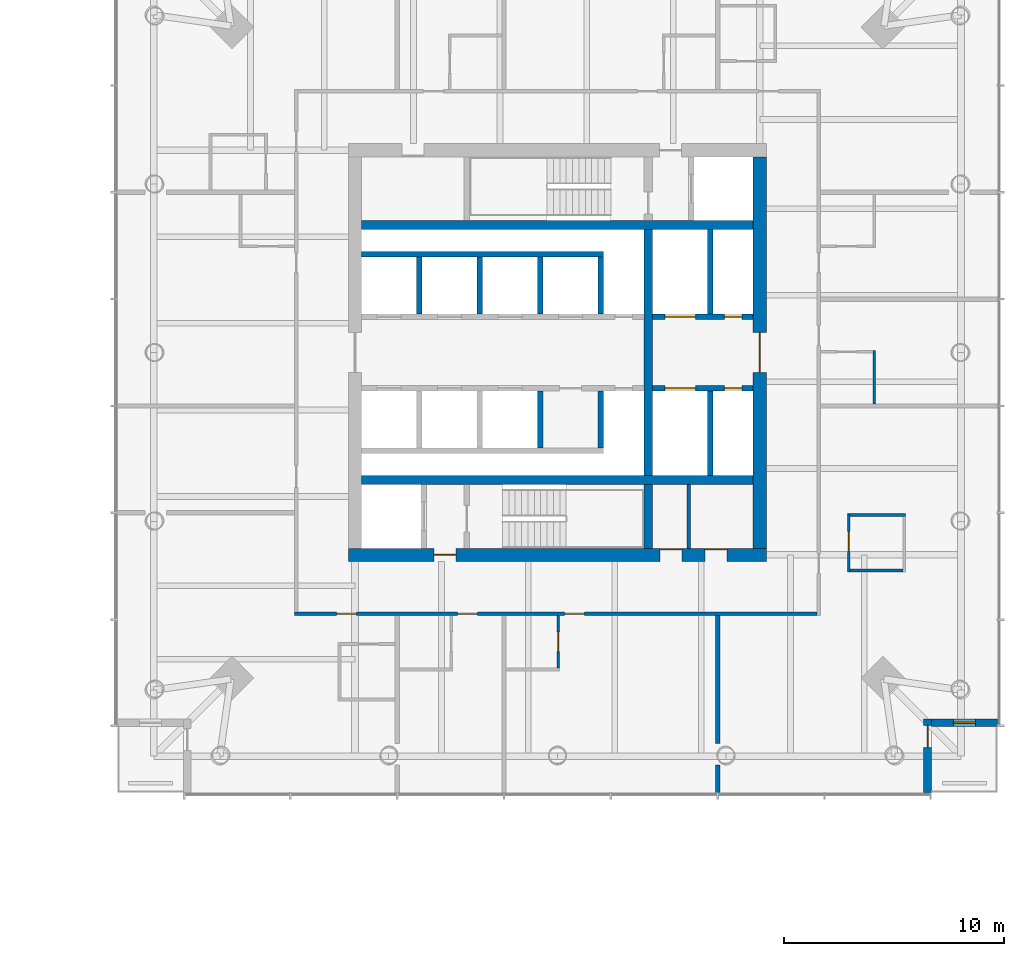
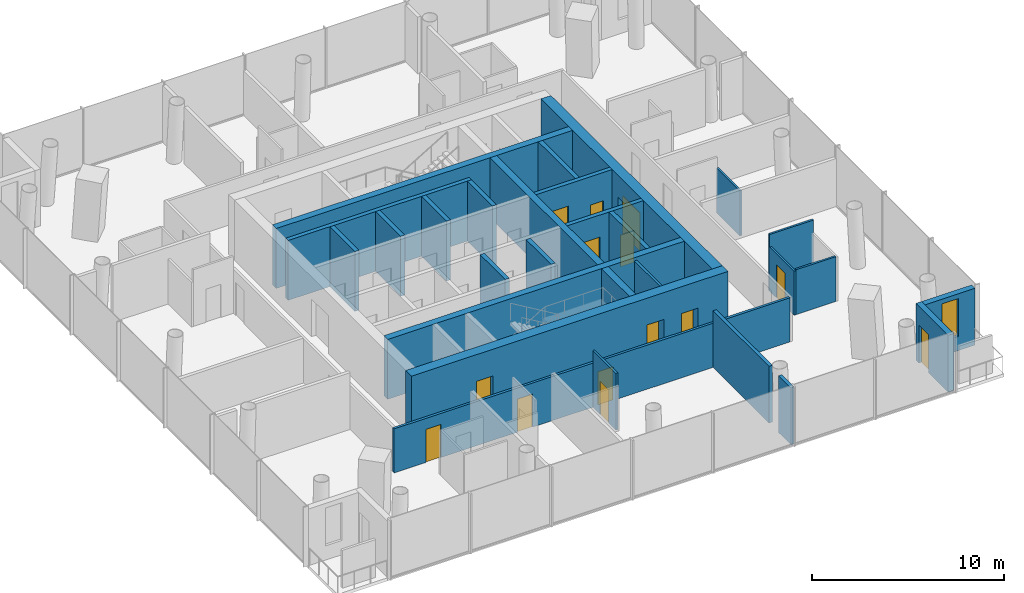
# One storey, part 14 of 26: 28 walls, 14 doors, 1 window, 15 openings.
"""IFC4 building model written with IfcOpenShell, lengths in metres."""

import ifcopenshell
import ifcopenshell.guid

model = None  # the IFC model being written
_history = None  # IfcOwnerHistory: only IFC2X3 demands one
_inside = {}  # id of a spatial element -> (the spatial element, [elements in it])
_under = {}  # id of a project, library or spatial element -> (it, [spatial elements below it])
_declared = {}  # id of a project -> (the project, [libraries it declares])
_typed = {}  # id of a type object -> (the type object, [elements of that type])
_made_of = {}  # id of a material, layer set ... -> (it, [elements and type objects made of it])


def new_model(schema):
    """Start an empty IFC model of exactly this schema.

    Asked for "IFC4X3", IfcOpenShell would pick the latest addendum, in which some entities
    have other attributes; the version numbers below select the first issue.
    IFC2X3 requires an IfcOwnerHistory on every rooted entity: one is made here for all.
    """
    global model, _history
    if schema == "IFC4X3":
        model = ifcopenshell.file(schema_version=(4, 3, 0, 0))
    else:
        model = ifcopenshell.file(schema=schema)
    _inside.clear()
    _under.clear()
    _declared.clear()
    _typed.clear()
    _made_of.clear()
    _history = None
    if model.schema == "IFC2X3":
        org = make("IfcOrganization", Name="unknown")
        user = make(
            "IfcPersonAndOrganization",
            ThePerson=make("IfcPerson", FamilyName="unknown"),
            TheOrganization=org,
        )
        app = make(
            "IfcApplication",
            ApplicationDeveloper=org,
            Version="unknown",
            ApplicationFullName="unknown",
            ApplicationIdentifier="unknown",
        )
        _history = make(
            "IfcOwnerHistory",
            OwningUser=user,
            OwningApplication=app,
            ChangeAction="ADDED",
            CreationDate=0,
        )
    return model


def make(cls, **values):
    """One entity of the class cls with the attributes given. An attribute that is None is left unset."""
    return model.create_entity(
        cls, **{name: value for name, value in values.items() if value is not None}
    )


def rooted(cls, **values):
    """An entity with a GlobalId (a new one), such as an element, a storey or a relation."""
    return make(cls, GlobalId=ifcopenshell.guid.new(), OwnerHistory=_history, **values)


def si_unit(unit_type, name, prefix=None):
    """IfcSIUnit, for example si_unit("LENGTHUNIT", "METRE", prefix="MILLI")."""
    return make("IfcSIUnit", UnitType=unit_type, Prefix=prefix, Name=name)


def assignment(units):
    """IfcUnitAssignment: the units of a project."""
    return None if units is None else make("IfcUnitAssignment", Units=units)


def point(xyz):
    """IfcCartesianPoint."""
    return None if xyz is None else make("IfcCartesianPoint", Coordinates=xyz)


def direction(xyz):
    """IfcDirection."""
    return None if xyz is None else make("IfcDirection", DirectionRatios=xyz)


def frame(location, z_axis=None, x_axis=None):
    """IfcAxis2Placement3D, a coordinate frame: its origin and axes. An axis left out is left unset."""
    return make(
        "IfcAxis2Placement3D",
        Location=point(location),
        Axis=direction(z_axis),
        RefDirection=direction(x_axis),
    )


def frame_2d(location, x_axis=None):
    """IfcAxis2Placement2D, a coordinate frame in the plane: its origin and x axis."""
    return make(
        "IfcAxis2Placement2D", Location=point(location), RefDirection=direction(x_axis)
    )


def origin():
    """The frame at (0, 0, 0) with its axes left unset."""
    return frame((0.0, 0.0, 0.0))


def place(relative_to, where):
    """IfcLocalPlacement: puts the frame where relative to a parent placement (None: the world)."""
    return make(
        "IfcLocalPlacement", PlacementRelTo=relative_to, RelativePlacement=where
    )


def context(
    kind, dimensions, precision=None, world=None, true_north=None, identifier=None
):
    """IfcGeometricRepresentationContext, for example the 3D "Model" context."""
    return make(
        "IfcGeometricRepresentationContext",
        ContextIdentifier=identifier,
        ContextType=kind,
        CoordinateSpaceDimension=dimensions,
        Precision=precision,
        WorldCoordinateSystem=world,
        TrueNorth=true_north,
    )


def subcontext(parent, identifier, kind, view, scale=None):
    """IfcGeometricRepresentationSubContext, for example "Body" below "Model"."""
    return make(
        "IfcGeometricRepresentationSubContext",
        ContextIdentifier=identifier,
        ContextType=kind,
        ParentContext=parent,
        TargetScale=scale,
        TargetView=view,
    )


def project(units=None, contexts=None):
    """IfcProject with its units and contexts."""
    return rooted(
        "IfcProject",
        Name="project",
        RepresentationContexts=contexts,
        UnitsInContext=assignment(units),
    )


def spatial(cls, under=None, at=None, **own):
    """A site, building, storey or space (cls), placed at a placement, below another one or the project."""
    s = rooted(cls, ObjectPlacement=at, **own)
    if under is not None:
        _under.setdefault(under.id(), (under, []))[1].append(s)
    return s


def profile(cls, at=None, kind="AREA", **sizes):
    """A parametric profile (cls). Its sizes go by their IFC names, for example OverallWidth=200.0."""
    return make(cls, ProfileType=kind, Position=at, **sizes)


def rectangle(**sizes):
    """IfcRectangleProfileDef."""
    return profile("IfcRectangleProfileDef", **sizes)


def extrude(swept, where, along, depth):
    """IfcExtrudedAreaSolid: the profile swept, set in the frame where, extruded along a direction by depth."""
    return make(
        "IfcExtrudedAreaSolid",
        SweptArea=swept,
        Position=where,
        ExtrudedDirection=direction(along),
        Depth=depth,
    )


def shape(context_of_items, identifier, shape_type, items):
    """IfcShapeRepresentation: the items that make up one representation, for example the "Body"."""
    return make(
        "IfcShapeRepresentation",
        ContextOfItems=context_of_items,
        RepresentationIdentifier=identifier,
        RepresentationType=shape_type,
        Items=items,
    )


def material(Name=None, Category=None):
    """IfcMaterial."""
    return make("IfcMaterial", Name=Name, Category=Category)


def layer(
    of_material, thickness, ventilated=None, Name=None, Category=None, Priority=None
):
    """IfcMaterialLayer: one layer of a wall or slab, of a material (None: an air gap)."""
    return make(
        "IfcMaterialLayer",
        Material=of_material,
        LayerThickness=thickness,
        IsVentilated=ventilated,
        Name=Name,
        Category=Category,
        Priority=Priority,
    )


def layer_set(layers, Name=None):
    """IfcMaterialLayerSet."""
    return make("IfcMaterialLayerSet", MaterialLayers=layers, LayerSetName=Name)


def made_of(thing, what):
    """Note that an element or type object is made of a material, layer set ...; save() writes the relation."""
    if what is not None:
        _made_of.setdefault(what.id(), (what, []))[1].append(thing)
    return thing


def type_object(cls, material=None, **own):
    """A type object (cls), such as IfcWallType, which elements share."""
    return made_of(rooted(cls, **own), material)


def element(
    cls,
    number,
    at=None,
    inside=None,
    cuts=None,
    type_object=None,
    material=None,
    context=None,
    identifier="Body",
    shape_type=None,
    held_by="IfcProductDefinitionShape",
    body=None,
    shapes=None,
    **own,
):
    """One element of the class cls, such as IfcWall. Its Tag is "e" and its number.

    at: its placement. inside: the storey or other place that contains it. cuts: it is an
    opening in that element (IfcRelVoidsElement). A single representation is given by context,
    identifier, shape_type and body (its items); several are given by shapes. held_by: the class
    of the entity that holds the representations. save() writes the other relations.
    """
    e = rooted(cls, Tag="e%d" % number, ObjectPlacement=at, **own)
    if body is not None:
        shapes = [shape(context, identifier, shape_type, body)]
    if shapes is not None:
        e.Representation = make(held_by, Representations=shapes)
    if inside is not None:
        _inside.setdefault(inside.id(), (inside, []))[1].append(e)
    if cuts is not None:
        rooted(
            "IfcRelVoidsElement", RelatingBuildingElement=cuts, RelatedOpeningElement=e
        )
    if type_object is not None:
        _typed.setdefault(type_object.id(), (type_object, []))[1].append(e)
    return made_of(e, material)


def fill(opening, filler):
    """IfcRelFillsElement: the door or window that sits in an opening."""
    return rooted(
        "IfcRelFillsElement",
        RelatingOpeningElement=opening,
        RelatedBuildingElement=filler,
    )


def aggregate(whole, parts):
    """IfcRelAggregates: a whole, such as a stair, and the parts it consists of."""
    return rooted("IfcRelAggregates", RelatingObject=whole, RelatedObjects=parts)


def save(model, path):
    """Write the relations noted so far, then the file.

    IfcRelAggregates (storeys below a building ...), IfcRelContainedInSpatialStructure (elements
    in a storey), IfcRelDefinesByType, IfcRelAssociatesMaterial and IfcRelDeclares: one each for
    every whole, place, type object, material and project.
    """
    for whole, parts in _under.values():
        aggregate(whole, parts)
    for where, things in _inside.values():
        rooted(
            "IfcRelContainedInSpatialStructure",
            RelatedElements=things,
            RelatingStructure=where,
        )
    for kind, things in _typed.values():
        rooted("IfcRelDefinesByType", RelatedObjects=things, RelatingType=kind)
    for what, things in _made_of.values():
        rooted("IfcRelAssociatesMaterial", RelatedObjects=things, RelatingMaterial=what)
    for by, libraries in _declared.values():
        rooted("IfcRelDeclares", RelatingContext=by, RelatedDefinitions=libraries)
    model.write(path)


model = new_model("IFC4")

# Units and contexts
model_context = context("Model", 3, precision=1e-05, world=origin(), true_north=direction((0.0, 1.0)))
body_context = subcontext(model_context, "Body", "Model", "MODEL_VIEW")
ifc_project = project(units=[si_unit("LENGTHUNIT", "METRE"), si_unit("AREAUNIT", "SQUARE_METRE"), si_unit("VOLUMEUNIT", "CUBIC_METRE"), si_unit("PLANEANGLEUNIT", "RADIAN"), si_unit("MASSUNIT", "GRAM", prefix="KILO")], contexts=[model_context])

# Site, building, storey
site_placement = place(None, origin())
site = spatial("IfcSite", under=ifc_project, at=site_placement, CompositionType="ELEMENT")
building_placement = place(site_placement, origin())
building = spatial("IfcBuilding", under=site, at=building_placement, Name="Ostroluk Exchange", CompositionType="ELEMENT")
storey_placement = place(building_placement, frame((0.0, 0.0, 36.199951171875)))
storey = spatial("IfcBuildingStorey", under=building, at=storey_placement, Name="L08", CompositionType="ELEMENT", Elevation=36.199951171875)

# Walls
ifc_material_1 = material(Name="Concrete blockwork", Category="masonry")
ifc_layer_1 = layer(ifc_material_1, 0.14990234375)
ifc_layer_set_1 = layer_set([ifc_layer_1], Name="Blockwork plant room wall 150")
wall_type_1 = type_object("IfcWallType", Name="Blockwork plant room wall 150", PredefinedType="SOLIDWALL", material=ifc_layer_set_1)
wall_1_placement = place(storey_placement, frame((122.97509765625, 37.10009765625, 0.0), z_axis=(0.0, 0.0, 1.0), x_axis=(0.0, 1.0, 0.0)))
element("IfcWall", 1, at=wall_1_placement, inside=storey, type_object=wall_type_1, Name="Core room wall", PredefinedType="SOLIDWALL", context=body_context, shape_type="SweptSolid", body=[
    extrude(rectangle(XDim=2.89990234375, YDim=0.14990234375, at=frame_2d((1.449951171875, 0.0))), origin(), (0.0, 0.0, 1.0), 3.60009765625),
])
ifc_material_2 = material(Name="Concrete C50/60", Category="concrete")
ifc_layer_2 = layer(ifc_material_2, 0.39990234375)
ifc_layer_set_2 = layer_set([ifc_layer_2], Name="Core cross wall 400 C50/60")
wall_type_2 = type_object("IfcWallType", Name="Core cross wall 400 C50/60", PredefinedType="SHEAR", material=ifc_layer_set_2)
for number, where, z_axis, x_axis, name in (
    (2, (108.10009765625, 40.199951171875, 0.0), (0.0, 0.0, 1.0), (1.0, 0.0, 0.0), "T2 core wall XS"),
    (3, (108.10009765625, 51.800048828125, 0.0), (0.0, 0.0, 1.0), (1.0, 0.0, 0.0), "T2 core wall XN"),
):
    element("IfcWall", number, at=place(storey_placement, frame(where, z_axis=z_axis, x_axis=x_axis)), inside=storey, type_object=wall_type_2, Name=name, PredefinedType="SHEAR", context=body_context, shape_type="SweptSolid", body=[
        extrude(rectangle(XDim=17.7998046875, YDim=0.39990234375, at=frame_2d((8.89990234375, 0.0))), origin(), (0.0, 0.0, 1.0), 3.800048828125),
    ])
wall_2_placement = place(storey_placement, frame((121.1298828125, 37.10009765625, 0.0), z_axis=(0.0, 0.0, 1.0), x_axis=(0.0, 1.0, 0.0)))
element("IfcWall", 4, at=wall_2_placement, inside=storey, type_object=wall_type_2, Name="T2 core wall YE1", PredefinedType="SHEAR", context=body_context, shape_type="SweptSolid", body=[
    extrude(rectangle(XDim=2.89990234375, YDim=0.39990234375, at=frame_2d((1.449951171875, 0.0))), origin(), (0.0, 0.0, 1.0), 3.800048828125),
])
wall_3_placement = place(storey_placement, frame((121.1298828125, 40.39990234375, 0.0), z_axis=(0.0, 0.0, 1.0), x_axis=(0.0, 1.0, 0.0)))
element("IfcWall", 5, at=wall_3_placement, inside=storey, type_object=wall_type_2, Name="T2 core wall YE2", PredefinedType="SHEAR", context=body_context, shape_type="SweptSolid", body=[
    extrude(rectangle(XDim=11.2001953125, YDim=0.39990234375, at=frame_2d((5.60009765625, 0.0))), origin(), (0.0, 0.0, 1.0), 3.800048828125),
])
ifc_material_3 = material(Name="Concrete C40/50", Category="concrete")
ifc_layer_3 = layer(ifc_material_3, 0.25)
ifc_layer_set_3 = layer_set([ifc_layer_3], Name="Core shaft wall 250")
wall_type_3 = type_object("IfcWallType", Name="Core shaft wall 250", PredefinedType="SHEAR", material=ifc_layer_set_3)
for number, where, z_axis, x_axis, name in (
    (6, (110.72509765625, 47.75, 0.0), (0.0, 0.0, 1.0), (0.0, 1.0, 0.0), "Lift shaft wall"),
    (7, (113.47509765625, 47.75, 0.0), (0.0, 0.0, 1.0), (0.0, 1.0, 0.0), "Lift shaft wall"),
    (8, (116.22509765625, 47.75, 0.0), (0.0, 0.0, 1.0), (0.0, 1.0, 0.0), "Lift shaft wall"),
    (9, (118.97509765625, 47.75, 0.0), (0.0, 0.0, 1.0), (0.0, 1.0, 0.0), "Lift shaft wall"),
):
    element("IfcWall", number, at=place(storey_placement, frame(where, z_axis=z_axis, x_axis=x_axis)), inside=storey, type_object=wall_type_3, Name=name, PredefinedType="SHEAR", context=body_context, shape_type="SweptSolid", body=[
        extrude(rectangle(XDim=2.60009765625, YDim=0.25, at=frame_2d((1.300048828125, 0.0))), origin(), (0.0, 0.0, 1.0), 3.800048828125),
    ])
wall_4_placement = place(storey_placement, frame((108.10009765625, 50.47509765625, 0.0), z_axis=(0.0, 0.0, 1.0), x_axis=(1.0, 0.0, 0.0)))
element("IfcWall", 10, at=wall_4_placement, inside=storey, type_object=wall_type_3, Name="Lift shaft wall", PredefinedType="SHEAR", context=body_context, shape_type="SweptSolid", body=[
    extrude(rectangle(XDim=11.0, YDim=0.25, at=frame_2d((5.5, 0.0))), origin(), (0.0, 0.0, 1.0), 3.800048828125),
])
for number, where, z_axis, x_axis, name in (
    (11, (116.22509765625, 44.25, 0.0), (0.0, 0.0, 1.0), (0.0, -1.0, 0.0), "Lift shaft wall"),
    (12, (118.97509765625, 44.25, 0.0), (0.0, 0.0, 1.0), (0.0, -1.0, 0.0), "Lift shaft wall"),
):
    element("IfcWall", number, at=place(storey_placement, frame(where, z_axis=z_axis, x_axis=x_axis)), inside=storey, type_object=wall_type_3, Name=name, PredefinedType="SHEAR", context=body_context, shape_type="SweptSolid", body=[
        extrude(rectangle(XDim=2.60009765625, YDim=0.25, at=frame_2d((1.300048828125, 0.0))), origin(), (0.0, 0.0, 1.0), 3.800048828125),
    ])
wall_5_placement = place(storey_placement, frame((123.955078125, 47.75, 0.0), z_axis=(0.0, 0.0, 1.0), x_axis=(0.0, 1.0, 0.0)))
element("IfcWall", 13, at=wall_5_placement, inside=storey, type_object=wall_type_3, Name="Lift shaft wall", PredefinedType="SHEAR", context=body_context, shape_type="SweptSolid", body=[
    extrude(rectangle(XDim=3.85009765625, YDim=0.25, at=frame_2d((1.925048828125, 0.0))), origin(), (0.0, 0.0, 1.0), 3.800048828125),
])

# Wall, openings, doors
wall_6_placement = place(storey_placement, frame((121.330078125, 47.625, 0.0), z_axis=(0.0, 0.0, 1.0), x_axis=(1.0, 0.0, 0.0)))
wall_6 = element("IfcWall", 14, at=wall_6_placement, inside=storey, type_object=wall_type_3, Name="Lift shaft front wall", PredefinedType="SHEAR", context=body_context, shape_type="SweptSolid", body=[
    extrude(rectangle(XDim=4.56982421875, YDim=0.25, at=frame_2d((2.284912109375, 0.0))), origin(), (0.0, 0.0, 1.0), 3.800048828125),
])
opening_1_placement = place(wall_6_placement, frame((0.550048828125, 0.0, 0.0)))
opening_1 = element("IfcOpeningElement", 15, at=opening_1_placement, cuts=wall_6, Name="Opening LD3", PredefinedType="OPENING", context=body_context, shape_type="SweptSolid", body=[
    extrude(rectangle(XDim=1.39990234375, YDim=2.39990234375, at=frame_2d((0.699951171875, 1.199951171875))), frame((0.0, 0.135009765625, 0.0), z_axis=(0.0, -1.0, 0.0), x_axis=(1.0, 0.0, 0.0)), (0.0, 0.0, 1.0), 0.27001953125),
])
opening_2_placement = place(wall_6_placement, frame((3.260009765625, 0.0, 0.0)))
opening_2 = element("IfcOpeningElement", 16, at=opening_2_placement, cuts=wall_6, Name="Opening RD60", PredefinedType="OPENING", context=body_context, shape_type="SweptSolid", body=[
    extrude(rectangle(XDim=0.800048828125, YDim=2.0, at=frame_2d((0.39990234375, 1.0))), frame((0.0, 0.135009765625, 0.0), z_axis=(0.0, -1.0, 0.0), x_axis=(1.0, 0.0, 0.0)), (0.0, 0.0, 1.0), 0.27001953125),
])
ifc_material_4 = material(Name="Stainless steel", Category="steel")
door_type_1 = type_object("IfcDoorType", Name="Goods lift landing door E 60 1400 x 2400", OperationType="DOUBLE_DOOR_SLIDING", PredefinedType="DOOR", material=ifc_material_4)
door_1_placement = place(opening_1_placement, origin())
door_1 = element("IfcDoor", 17, at=door_1_placement, inside=storey, type_object=door_type_1, Name="Lift HS1 landing door", OperationType="DOUBLE_DOOR_SLIDING", OverallHeight=2.39990234375, OverallWidth=1.39990234375, PredefinedType="DOOR", context=body_context, shape_type="SweptSolid", body=[
    extrude(rectangle(XDim=1.39990234375, YDim=2.39990234375, at=frame_2d((0.699951171875, 1.199951171875))), frame((0.0, 0.02490234375, 0.0), z_axis=(0.0, -1.0, 0.0), x_axis=(1.0, 0.0, 0.0)), (0.0, 0.0, 1.0), 0.050048828125),
])
fill(opening_1, door_1)
ifc_material_5 = material(Name="Steel", Category="steel")
door_type_2 = type_object("IfcDoorType", Name="Riser access door EI 60 800 x 2000", OperationType="SINGLE_SWING_LEFT", PredefinedType="DOOR", material=ifc_material_5)
door_2_placement = place(opening_2_placement, origin())
door_2 = element("IfcDoor", 18, at=door_2_placement, inside=storey, type_object=door_type_2, Name="Riser access door", OperationType="SINGLE_SWING_RIGHT", OverallHeight=2.0, OverallWidth=0.800048828125, PredefinedType="DOOR", context=body_context, shape_type="SweptSolid", body=[
    extrude(rectangle(XDim=0.800048828125, YDim=2.0, at=frame_2d((0.39990234375, 1.0))), frame((0.0, 0.02490234375, 0.0), z_axis=(0.0, -1.0, 0.0), x_axis=(1.0, 0.0, 0.0)), (0.0, 0.0, 1.0), 0.050048828125),
])
fill(opening_2, door_2)

# Wall
wall_7_placement = place(storey_placement, frame((123.955078125, 44.25, 0.0), z_axis=(0.0, 0.0, 1.0), x_axis=(0.0, -1.0, 0.0)))
element("IfcWall", 19, at=wall_7_placement, inside=storey, type_object=wall_type_3, Name="Lift shaft wall", PredefinedType="SHEAR", context=body_context, shape_type="SweptSolid", body=[
    extrude(rectangle(XDim=3.85009765625, YDim=0.25, at=frame_2d((1.925048828125, 0.0))), origin(), (0.0, 0.0, 1.0), 3.800048828125),
])

# Wall, openings, doors
wall_8_placement = place(storey_placement, frame((121.330078125, 44.375, 0.0), z_axis=(0.0, 0.0, 1.0), x_axis=(1.0, 0.0, 0.0)))
wall_8 = element("IfcWall", 20, at=wall_8_placement, inside=storey, type_object=wall_type_3, Name="Lift shaft front wall", PredefinedType="SHEAR", context=body_context, shape_type="SweptSolid", body=[
    extrude(rectangle(XDim=4.56982421875, YDim=0.25, at=frame_2d((2.284912109375, 0.0))), origin(), (0.0, 0.0, 1.0), 3.800048828125),
])
opening_3_placement = place(wall_8_placement, frame((0.550048828125, 0.0, 0.0)))
opening_3 = element("IfcOpeningElement", 21, at=opening_3_placement, cuts=wall_8, Name="Opening LD3", PredefinedType="OPENING", context=body_context, shape_type="SweptSolid", body=[
    extrude(rectangle(XDim=1.39990234375, YDim=2.39990234375, at=frame_2d((0.699951171875, 1.199951171875))), frame((0.0, 0.135009765625, 0.0), z_axis=(0.0, -1.0, 0.0), x_axis=(1.0, 0.0, 0.0)), (0.0, 0.0, 1.0), 0.27001953125),
])
opening_4_placement = place(wall_8_placement, frame((3.260009765625, 0.0, 0.0)))
opening_4 = element("IfcOpeningElement", 22, at=opening_4_placement, cuts=wall_8, Name="Opening RD60", PredefinedType="OPENING", context=body_context, shape_type="SweptSolid", body=[
    extrude(rectangle(XDim=0.800048828125, YDim=2.0, at=frame_2d((0.39990234375, 1.0))), frame((0.0, 0.135009765625, 0.0), z_axis=(0.0, -1.0, 0.0), x_axis=(1.0, 0.0, 0.0)), (0.0, 0.0, 1.0), 0.27001953125),
])
door_3_placement = place(opening_3_placement, origin())
door_3 = element("IfcDoor", 23, at=door_3_placement, inside=storey, type_object=door_type_1, Name="Lift HS2 landing door", OperationType="DOUBLE_DOOR_SLIDING", OverallHeight=2.39990234375, OverallWidth=1.39990234375, PredefinedType="DOOR", context=body_context, shape_type="SweptSolid", body=[
    extrude(rectangle(XDim=1.39990234375, YDim=2.39990234375, at=frame_2d((0.699951171875, 1.199951171875))), frame((0.0, 0.02490234375, 0.0), z_axis=(0.0, -1.0, 0.0), x_axis=(1.0, 0.0, 0.0)), (0.0, 0.0, 1.0), 0.050048828125),
])
fill(opening_3, door_3)
door_4_placement = place(opening_4_placement, origin())
door_4 = element("IfcDoor", 24, at=door_4_placement, inside=storey, type_object=door_type_2, Name="Riser access door", OperationType="SINGLE_SWING_RIGHT", OverallHeight=2.0, OverallWidth=0.800048828125, PredefinedType="DOOR", context=body_context, shape_type="SweptSolid", body=[
    extrude(rectangle(XDim=0.800048828125, YDim=2.0, at=frame_2d((0.39990234375, 1.0))), frame((0.0, 0.02490234375, 0.0), z_axis=(0.0, -1.0, 0.0), x_axis=(1.0, 0.0, 0.0)), (0.0, 0.0, 1.0), 0.050048828125),
])
fill(opening_4, door_4)

ifc_material_6 = material(Name="Concrete C50/60", Category="concrete")
ifc_layer_4 = layer(ifc_material_6, 0.60009765625)
ifc_layer_set_4 = layer_set([ifc_layer_4], Name="Core wall 600 C50/60")
wall_type_4 = type_object("IfcWallType", Name="Core wall 600 C50/60", PredefinedType="SHEAR", material=ifc_layer_set_4)
wall_9_placement = place(storey_placement, frame((107.5, 36.800048828125, 0.0), z_axis=(0.0, 0.0, 1.0), x_axis=(1.0, 0.0, 0.0)))
wall_9 = element("IfcWall", 25, at=wall_9_placement, inside=storey, type_object=wall_type_4, Name="T2 core wall S", PredefinedType="SHEAR", context=body_context, shape_type="SweptSolid", body=[
    extrude(rectangle(XDim=19.0, YDim=0.60009765625, at=frame_2d((9.5, 0.0))), origin(), (0.0, 0.0, 1.0), 3.800048828125),
])
opening_5_placement = place(wall_9_placement, frame((3.89990234375, 0.0, 0.0)))
opening_5 = element("IfcOpeningElement", 26, at=opening_5_placement, cuts=wall_9, Name="Opening FD60", PredefinedType="OPENING", context=body_context, shape_type="SweptSolid", body=[
    extrude(rectangle(XDim=1.0, YDim=2.10009765625, at=frame_2d((0.5, 1.050048828125))), frame((0.0, 0.31005859375, 0.0), z_axis=(0.0, -1.0, 0.0), x_axis=(1.0, 0.0, 0.0)), (0.0, 0.0, 1.0), 0.6201171875),
])
opening_6_placement = place(wall_9_placement, frame((14.152587890625, 0.0, 0.0)))
opening_6 = element("IfcOpeningElement", 27, at=opening_6_placement, cuts=wall_9, Name="Opening FD60", PredefinedType="OPENING", context=body_context, shape_type="SweptSolid", body=[
    extrude(rectangle(XDim=1.0, YDim=2.10009765625, at=frame_2d((0.5, 1.050048828125))), frame((0.0, 0.31005859375, 0.0), z_axis=(0.0, -1.0, 0.0), x_axis=(1.0, 0.0, 0.0)), (0.0, 0.0, 1.0), 0.6201171875),
])
opening_7_placement = place(wall_9_placement, frame((16.199951171875, 0.0, 0.0)))
opening_7 = element("IfcOpeningElement", 28, at=opening_7_placement, cuts=wall_9, Name="Opening FD60", PredefinedType="OPENING", context=body_context, shape_type="SweptSolid", body=[
    extrude(rectangle(XDim=1.0, YDim=2.10009765625, at=frame_2d((0.5, 1.050048828125))), frame((0.0, 0.31005859375, 0.0), z_axis=(0.0, -1.0, 0.0), x_axis=(1.0, 0.0, 0.0)), (0.0, 0.0, 1.0), 0.6201171875),
])
ifc_material_7 = material(Name="Steel", Category="steel")
door_type_3 = type_object("IfcDoorType", Name="Fire door EI 60 1000 x 2100", OperationType="SINGLE_SWING_LEFT", PredefinedType="DOOR", material=ifc_material_7)
door_5_placement = place(opening_5_placement, origin())
door_5 = element("IfcDoor", 29, at=door_5_placement, inside=storey, type_object=door_type_3, Name="Firefighting lobby door", OperationType="SINGLE_SWING_LEFT", OverallHeight=2.10009765625, OverallWidth=1.0, PredefinedType="DOOR", context=body_context, shape_type="SweptSolid", body=[
    extrude(rectangle(XDim=1.0, YDim=2.10009765625, at=frame_2d((0.5, 1.050048828125))), frame((0.0, 0.02490234375, 0.0), z_axis=(0.0, -1.0, 0.0), x_axis=(1.0, 0.0, 0.0)), (0.0, 0.0, 1.0), 0.050048828125),
])
fill(opening_5, door_5)
door_6_placement = place(opening_6_placement, origin())
door_6 = element("IfcDoor", 30, at=door_6_placement, inside=storey, type_object=door_type_3, Name="Comms room door", OperationType="SINGLE_SWING_RIGHT", OverallHeight=2.10009765625, OverallWidth=1.0, PredefinedType="DOOR", context=body_context, shape_type="SweptSolid", body=[
    extrude(rectangle(XDim=1.0, YDim=2.10009765625, at=frame_2d((0.5, 1.050048828125))), frame((0.0, 0.2900390625, 0.0), z_axis=(0.0, -1.0, 0.0), x_axis=(1.0, 0.0, 0.0)), (0.0, 0.0, 1.0), 0.050048828125),
])
fill(opening_6, door_6)
door_7_placement = place(opening_7_placement, origin())
door_7 = element("IfcDoor", 31, at=door_7_placement, inside=storey, type_object=door_type_3, Name="Ice and vending room door", OperationType="SINGLE_SWING_RIGHT", OverallHeight=2.10009765625, OverallWidth=1.0, PredefinedType="DOOR", context=body_context, shape_type="SweptSolid", body=[
    extrude(rectangle(XDim=1.0, YDim=2.10009765625, at=frame_2d((0.5, 1.050048828125))), frame((0.0, 0.2900390625, 0.0), z_axis=(0.0, -1.0, 0.0), x_axis=(1.0, 0.0, 0.0)), (0.0, 0.0, 1.0), 0.050048828125),
])
fill(opening_7, door_7)

# Wall, opening, door
wall_10_placement = place(storey_placement, frame((126.199951171875, 37.10009765625, 0.0), z_axis=(0.0, 0.0, 1.0), x_axis=(0.0, 1.0, 0.0)))
wall_10 = element("IfcWall", 32, at=wall_10_placement, inside=storey, type_object=wall_type_4, Name="T2 core wall E", PredefinedType="SHEAR", context=body_context, shape_type="SweptSolid", body=[
    extrude(rectangle(XDim=17.7998046875, YDim=0.60009765625, at=frame_2d((8.89990234375, 0.0))), origin(), (0.0, 0.0, 1.0), 3.800048828125),
])
opening_8_placement = place(wall_10_placement, frame((8.0, 0.0, 0.0)))
opening_8 = element("IfcOpeningElement", 33, at=opening_8_placement, cuts=wall_10, Name="Opening FD30D", PredefinedType="OPENING", context=body_context, shape_type="SweptSolid", body=[
    extrude(rectangle(XDim=1.800048828125, YDim=2.39990234375, at=frame_2d((0.89990234375, 1.199951171875))), frame((0.0, 0.31005859375, 0.0), z_axis=(0.0, -1.0, 0.0), x_axis=(1.0, 0.0, 0.0)), (0.0, 0.0, 1.0), 0.6201171875),
])
ifc_material_8 = material(Name="Timber", Category="wood")
door_type_4 = type_object("IfcDoorType", Name="Lobby double door EI 30 1800 x 2400", OperationType="DOUBLE_DOOR_SINGLE_SWING", PredefinedType="DOOR", material=ifc_material_8)
door_8_placement = place(opening_8_placement, origin())
door_8 = element("IfcDoor", 34, at=door_8_placement, inside=storey, type_object=door_type_4, Name="Lift lobby doors", OperationType="DOUBLE_DOOR_SINGLE_SWING", OverallHeight=2.39990234375, OverallWidth=1.800048828125, PredefinedType="DOOR", context=body_context, shape_type="SweptSolid", body=[
    extrude(rectangle(XDim=1.800048828125, YDim=2.39990234375, at=frame_2d((0.89990234375, 1.199951171875))), frame((0.0, 0.02490234375, 0.0), z_axis=(0.0, -1.0, 0.0), x_axis=(1.0, 0.0, 0.0)), (0.0, 0.0, 1.0), 0.050048828125),
])
fill(opening_8, door_8)

ifc_material_9 = material(Name="Limestone", Category="masonry")
ifc_layer_5 = layer(ifc_material_9, 0.35009765625)
ifc_layer_set_5 = layer_set([ifc_layer_5], Name="Limestone facade wall 350")
wall_type_5 = type_object("IfcWallType", Name="Limestone facade wall 350", PredefinedType="SOLIDWALL", material=ifc_layer_set_5)
wall_11_placement = place(storey_placement, frame((133.824951171875, 26.0, 0.0), z_axis=(0.0, 0.0, 1.0), x_axis=(0.0, 1.0, 0.0)))
wall_11 = element("IfcWall", 35, at=wall_11_placement, inside=storey, type_object=wall_type_5, Name="Hotel tower SE corner wall L08 a", PredefinedType="SOLIDWALL", context=body_context, shape_type="SweptSolid", body=[
    extrude(rectangle(XDim=3.35009765625, YDim=0.35009765625, at=frame_2d((1.675048828125, 0.0))), origin(), (0.0, 0.0, 1.0), 3.60009765625),
])
opening_9_placement = place(wall_11_placement, frame((2.050048828125, 0.0, 0.0)))
opening_9 = element("IfcOpeningElement", 36, at=opening_9_placement, cuts=wall_11, Name="Opening D-B1", PredefinedType="OPENING", context=body_context, shape_type="SweptSolid", body=[
    extrude(rectangle(XDim=1.0, YDim=2.39990234375, at=frame_2d((0.5, 1.199951171875))), frame((0.0, 0.18505859375, 0.0), z_axis=(0.0, -1.0, 0.0), x_axis=(1.0, 0.0, 0.0)), (0.0, 0.0, 1.0), 0.3701171875),
])
ifc_material_10 = material(Name="Bronze framed glazed door", Category="aluminium")
door_type_5 = type_object("IfcDoorType", Name="Balcony door 1000 x 2400", OperationType="SINGLE_SWING_LEFT", PredefinedType="DOOR", material=ifc_material_10)
door_9_placement = place(opening_9_placement, origin())
door_9 = element("IfcDoor", 37, at=door_9_placement, inside=storey, type_object=door_type_5, Name="Hotel tower SE balcony door L08", OperationType="SINGLE_SWING_RIGHT", OverallHeight=2.39990234375, OverallWidth=1.0, PredefinedType="DOOR", context=body_context, shape_type="SweptSolid", body=[
    extrude(rectangle(XDim=1.0, YDim=2.39990234375, at=frame_2d((0.5, 1.199951171875))), frame((0.0, 0.02490234375, 0.0), z_axis=(0.0, -1.0, 0.0), x_axis=(1.0, 0.0, 0.0)), (0.0, 0.0, 1.0), 0.050048828125),
])
fill(opening_9, door_9)

# Wall, opening, window
wall_12_placement = place(storey_placement, frame((134.0, 29.175048828125, 0.0), z_axis=(0.0, 0.0, 1.0), x_axis=(1.0, 0.0, 0.0)))
wall_12 = element("IfcWall", 38, at=wall_12_placement, inside=storey, type_object=wall_type_5, Name="Hotel tower SE corner wall L08 b", PredefinedType="SOLIDWALL", context=body_context, shape_type="SweptSolid", body=[
    extrude(rectangle(XDim=3.0, YDim=0.35009765625, at=frame_2d((1.5, 0.0))), origin(), (0.0, 0.0, 1.0), 3.60009765625),
])
opening_10_placement = place(wall_12_placement, frame((1.0, 0.0, 0.89990234375)))
opening_10 = element("IfcOpeningElement", 39, at=opening_10_placement, cuts=wall_12, Name="Opening WN-L3", PredefinedType="OPENING", context=body_context, shape_type="SweptSolid", body=[
    extrude(rectangle(XDim=1.0, YDim=2.39990234375, at=frame_2d((0.5, 1.199951171875))), frame((0.0, 0.18505859375, 0.0), z_axis=(0.0, -1.0, 0.0), x_axis=(1.0, 0.0, 0.0)), (0.0, 0.0, 1.0), 0.3701171875),
])
ifc_material_11 = material(Name="Laminated clear glass", Category="glass")
window_type = type_object("IfcWindowType", Name="Hotel lancet window 1000 x 2400", PartitioningType="SINGLE_PANEL", PredefinedType="WINDOW", material=ifc_material_11)
window_placement = place(opening_10_placement, origin())
window = element("IfcWindow", 40, at=window_placement, inside=storey, type_object=window_type, Name="Hotel tower SE lancet window L08", OverallHeight=2.39990234375, OverallWidth=1.0, PartitioningType="SINGLE_PANEL", PredefinedType="WINDOW", context=body_context, shape_type="SweptSolid", body=[
    extrude(rectangle(XDim=1.0, YDim=2.39990234375, at=frame_2d((0.5, 1.199951171875))), frame((0.0, 0.030029296875, 0.0), z_axis=(0.0, -1.0, 0.0), x_axis=(1.0, 0.0, 0.0)), (0.0, 0.0, 1.0), 0.06005859375),
])
fill(opening_10, window)

# Wall, opening, door
ifc_material_12 = material(Name="Gypsum plasterboard partition, moisture resistant", Category="gypsum")
ifc_layer_6 = layer(ifc_material_12, 0.1201171875)
ifc_layer_set_6 = layer_set([ifc_layer_6], Name="Plasterboard en-suite wall 120")
wall_type_6 = type_object("IfcWallType", Name="Plasterboard en-suite wall 120", PredefinedType="PARTITIONING", material=ifc_layer_set_6)
wall_13_placement = place(storey_placement, frame((130.25, 38.6142578125, 0.0), z_axis=(0.0, 0.0, 1.0), x_axis=(0.0, -1.0, 0.0)))
wall_13 = element("IfcWall", 41, at=wall_13_placement, inside=storey, type_object=wall_type_6, Name="En-suite wall", PredefinedType="PARTITIONING", context=body_context, shape_type="SweptSolid", body=[
    extrude(rectangle(XDim=2.580078125, YDim=0.1201171875, at=frame_2d((1.2900390625, 0.0))), origin(), (0.0, 0.0, 1.0), 2.800048828125),
])
opening_11_placement = place(wall_13_placement, frame((0.75, 0.0, 0.0)))
opening_11 = element("IfcOpeningElement", 42, at=opening_11_placement, cuts=wall_13, Name="Opening D-02", PredefinedType="OPENING", context=body_context, shape_type="SweptSolid", body=[
    extrude(rectangle(XDim=0.89990234375, YDim=2.10009765625, at=frame_2d((0.449951171875, 1.050048828125))), frame((0.0, 0.070068359375, 0.0), z_axis=(0.0, -1.0, 0.0), x_axis=(1.0, 0.0, 0.0)), (0.0, 0.0, 1.0), 0.14013671875),
])
ifc_material_13 = material(Name="Timber", Category="wood")
door_type_6 = type_object("IfcDoorType", Name="En-suite door 900 x 2100", OperationType="SINGLE_SWING_LEFT", PredefinedType="DOOR", material=ifc_material_13)
door_10_placement = place(opening_11_placement, origin())
door_10 = element("IfcDoor", 43, at=door_10_placement, inside=storey, type_object=door_type_6, Name="En-suite door 801", OperationType="SINGLE_SWING_LEFT", OverallHeight=2.10009765625, OverallWidth=0.89990234375, PredefinedType="DOOR", context=body_context, shape_type="SweptSolid", body=[
    extrude(rectangle(XDim=0.89990234375, YDim=2.10009765625, at=frame_2d((0.449951171875, 1.050048828125))), frame((0.0, 0.02490234375, 0.0), z_axis=(0.0, -1.0, 0.0), x_axis=(1.0, 0.0, 0.0)), (0.0, 0.0, 1.0), 0.050048828125),
])
fill(opening_11, door_10)

# Walls
wall_14_placement = place(storey_placement, frame((130.31005859375, 36.09423828125, 0.0), z_axis=(0.0, 0.0, 1.0), x_axis=(1.0, 0.0, 0.0)))
element("IfcWall", 44, at=wall_14_placement, inside=storey, type_object=wall_type_6, Name="En-suite wall", PredefinedType="PARTITIONING", context=body_context, shape_type="SweptSolid", body=[
    extrude(rectangle(XDim=2.39990234375, YDim=0.1201171875, at=frame_2d((1.199951171875, 0.0))), origin(), (0.0, 0.0, 1.0), 2.84716796875),
])
wall_15_placement = place(storey_placement, frame((130.18994140625, 38.6142578125, 0.0), z_axis=(0.0, 0.0, 1.0), x_axis=(1.0, 0.0, 0.0)))
element("IfcWall", 45, at=wall_15_placement, inside=storey, type_object=wall_type_6, Name="En-suite wall", PredefinedType="PARTITIONING", context=body_context, shape_type="SweptSolid", body=[
    extrude(rectangle(XDim=2.64013671875, YDim=0.1201171875, at=frame_2d((1.320068359375, 0.0))), origin(), (0.0, 0.0, 1.0), 3.60009765625),
])
wall_16_placement = place(storey_placement, frame((131.409912109375, 43.67138671875, 0.0), z_axis=(0.0, 0.0, 1.0), x_axis=(0.0, 1.0, 0.0)))
element("IfcWall", 46, at=wall_16_placement, inside=storey, type_object=wall_type_6, Name="En-suite wall", PredefinedType="PARTITIONING", context=body_context, shape_type="SweptSolid", body=[
    extrude(rectangle(XDim=2.419921875, YDim=0.1201171875, at=frame_2d((1.2099609375, 0.0))), origin(), (0.0, 0.0, 1.0), 2.84716796875),
])

# Wall, opening, door
wall_17_placement = place(storey_placement, frame((117.031494140625, 34.050048828125, 0.0), z_axis=(0.0, 0.0, 1.0), x_axis=(0.0, -1.0, 0.0)))
wall_17 = element("IfcWall", 47, at=wall_17_placement, inside=storey, type_object=wall_type_6, Name="En-suite wall", PredefinedType="PARTITIONING", context=body_context, shape_type="SweptSolid", body=[
    extrude(rectangle(XDim=2.400146484375, YDim=0.1201171875, at=frame_2d((1.2001953125, 0.0))), origin(), (0.0, 0.0, 1.0), 3.60009765625),
])
opening_12_placement = place(wall_17_placement, frame((0.75, 0.0, 0.0)))
opening_12 = element("IfcOpeningElement", 48, at=opening_12_placement, cuts=wall_17, Name="Opening D-02", PredefinedType="OPENING", context=body_context, shape_type="SweptSolid", body=[
    extrude(rectangle(XDim=0.89990234375, YDim=2.10009765625, at=frame_2d((0.449951171875, 1.050048828125))), frame((0.0, 0.070068359375, 0.0), z_axis=(0.0, -1.0, 0.0), x_axis=(1.0, 0.0, 0.0)), (0.0, 0.0, 1.0), 0.14013671875),
])
door_11_placement = place(opening_12_placement, origin())
door_11 = element("IfcDoor", 49, at=door_11_placement, inside=storey, type_object=door_type_6, Name="En-suite door 811", OperationType="SINGLE_SWING_RIGHT", OverallHeight=2.10009765625, OverallWidth=0.89990234375, PredefinedType="DOOR", context=body_context, shape_type="SweptSolid", body=[
    extrude(rectangle(XDim=0.89990234375, YDim=2.10009765625, at=frame_2d((0.449951171875, 1.050048828125))), frame((0.0, 0.02490234375, 0.0), z_axis=(0.0, -1.0, 0.0), x_axis=(1.0, 0.0, 0.0)), (0.0, 0.0, 1.0), 0.050048828125),
])
fill(opening_12, door_11)

# Wall, openings, doors
ifc_material_14 = material(Name="Gypsum plasterboard partition", Category="gypsum")
ifc_layer_7 = layer(ifc_material_14, 0.14990234375)
ifc_layer_set_7 = layer_set([ifc_layer_7], Name="Plasterboard partition 150")
wall_type_7 = type_object("IfcWallType", Name="Plasterboard partition 150", PredefinedType="PARTITIONING", material=ifc_layer_set_7)
wall_18_placement = place(storey_placement, frame((105.050048828125, 34.125, 0.0), z_axis=(0.0, 0.0, 1.0), x_axis=(1.0, 0.0, 0.0)))
wall_18 = element("IfcWall", 50, at=wall_18_placement, inside=storey, type_object=wall_type_7, Name="Corridor wall", PredefinedType="PARTITIONING", context=body_context, shape_type="SweptSolid", body=[
    extrude(rectangle(XDim=23.75, YDim=0.14990234375, at=frame_2d((11.875, 0.0))), origin(), (0.0, 0.0, 1.0), 2.800048828125),
])
opening_13_placement = place(wall_18_placement, frame((1.9072265625, 0.0, 0.0)))
opening_13 = element("IfcOpeningElement", 51, at=opening_13_placement, cuts=wall_18, Name="Opening D-01", PredefinedType="OPENING", context=body_context, shape_type="SweptSolid", body=[
    extrude(rectangle(XDim=0.89990234375, YDim=2.10009765625, at=frame_2d((0.449951171875, 1.050048828125))), frame((0.0, 0.0849609375, 0.0), z_axis=(0.0, -1.0, 0.0), x_axis=(1.0, 0.0, 0.0)), (0.0, 0.0, 1.0), 0.169921875),
])
opening_14_placement = place(wall_18_placement, frame((7.414306640625, 0.0, 0.0)))
opening_14 = element("IfcOpeningElement", 52, at=opening_14_placement, cuts=wall_18, Name="Opening D-01", PredefinedType="OPENING", context=body_context, shape_type="SweptSolid", body=[
    extrude(rectangle(XDim=0.89990234375, YDim=2.10009765625, at=frame_2d((0.449951171875, 1.050048828125))), frame((0.0, 0.0849609375, 0.0), z_axis=(0.0, -1.0, 0.0), x_axis=(1.0, 0.0, 0.0)), (0.0, 0.0, 1.0), 0.169921875),
])
opening_15_placement = place(wall_18_placement, frame((12.271484375, 0.0, 0.0)))
opening_15 = element("IfcOpeningElement", 53, at=opening_15_placement, cuts=wall_18, Name="Opening D-01", PredefinedType="OPENING", context=body_context, shape_type="SweptSolid", body=[
    extrude(rectangle(XDim=0.89990234375, YDim=2.10009765625, at=frame_2d((0.449951171875, 1.050048828125))), frame((0.0, 0.0849609375, 0.0), z_axis=(0.0, -1.0, 0.0), x_axis=(1.0, 0.0, 0.0)), (0.0, 0.0, 1.0), 0.169921875),
])
ifc_material_15 = material(Name="Timber", Category="wood")
door_type_7 = type_object("IfcDoorType", Name="Hotel room door EI 30 Sa 900 x 2100", OperationType="SINGLE_SWING_LEFT", PredefinedType="DOOR", material=ifc_material_15)
door_12_placement = place(opening_13_placement, origin())
door_12 = element("IfcDoor", 54, at=door_12_placement, inside=storey, type_object=door_type_7, Name="Room door 809", OperationType="SINGLE_SWING_LEFT", OverallHeight=2.10009765625, OverallWidth=0.89990234375, PredefinedType="DOOR", context=body_context, shape_type="SweptSolid", body=[
    extrude(rectangle(XDim=0.89990234375, YDim=2.10009765625, at=frame_2d((0.449951171875, 1.050048828125))), frame((0.0, 0.02490234375, 0.0), z_axis=(0.0, -1.0, 0.0), x_axis=(1.0, 0.0, 0.0)), (0.0, 0.0, 1.0), 0.050048828125),
])
fill(opening_13, door_12)
door_13_placement = place(opening_14_placement, origin())
door_13 = element("IfcDoor", 55, at=door_13_placement, inside=storey, type_object=door_type_7, Name="Room door 810", OperationType="SINGLE_SWING_LEFT", OverallHeight=2.10009765625, OverallWidth=0.89990234375, PredefinedType="DOOR", context=body_context, shape_type="SweptSolid", body=[
    extrude(rectangle(XDim=0.89990234375, YDim=2.10009765625, at=frame_2d((0.449951171875, 1.050048828125))), frame((0.0, 0.02490234375, 0.0), z_axis=(0.0, -1.0, 0.0), x_axis=(1.0, 0.0, 0.0)), (0.0, 0.0, 1.0), 0.050048828125),
])
fill(opening_14, door_13)
door_14_placement = place(opening_15_placement, origin())
door_14 = element("IfcDoor", 56, at=door_14_placement, inside=storey, type_object=door_type_7, Name="Room door 811", OperationType="SINGLE_SWING_RIGHT", OverallHeight=2.10009765625, OverallWidth=0.89990234375, PredefinedType="DOOR", context=body_context, shape_type="SweptSolid", body=[
    extrude(rectangle(XDim=0.89990234375, YDim=2.10009765625, at=frame_2d((0.449951171875, 1.050048828125))), frame((0.0, 0.02490234375, 0.0), z_axis=(0.0, -1.0, 0.0), x_axis=(1.0, 0.0, 0.0)), (0.0, 0.0, 1.0), 0.050048828125),
])
fill(opening_15, door_14)

# Walls
ifc_material_16 = material(Name="Gypsum plasterboard partition", Category="gypsum")
ifc_layer_8 = layer(ifc_material_16, 0.199951171875)
ifc_layer_set_8 = layer_set([ifc_layer_8], Name="Plasterboard party wall 200")
wall_type_8 = type_object("IfcWallType", Name="Plasterboard party wall 200", PredefinedType="PARTITIONING", material=ifc_layer_set_8)
wall_19_placement = place(storey_placement, frame((124.28564453125, 34.050048828125, 0.0), z_axis=(0.0, 0.0, 1.0), x_axis=(0.0, -1.0, 0.0)))
element("IfcWall", 57, at=wall_19_placement, inside=storey, type_object=wall_type_8, Name="Party wall", PredefinedType="PARTITIONING", context=body_context, shape_type="SweptSolid", body=[
    extrude(rectangle(XDim=5.824462890625, YDim=0.199951171875, at=frame_2d((2.912109375, 0.0))), origin(), (0.0, 0.0, 1.0), 3.60009765625),
])
wall_20_placement = place(storey_placement, frame((124.28564453125, 27.248779296875, 0.0), z_axis=(0.0, 0.0, 1.0), x_axis=(0.0, -1.0, 0.0)))
element("IfcWall", 58, at=wall_20_placement, inside=storey, type_object=wall_type_8, Name="Party wall", PredefinedType="PARTITIONING", context=body_context, shape_type="SweptSolid", body=[
    extrude(rectangle(XDim=1.288818359375, YDim=0.199951171875, at=frame_2d((0.64453125, 0.0))), origin(), (0.0, 0.0, 1.0), 3.60009765625),
])

save(model, "model.ifc")
